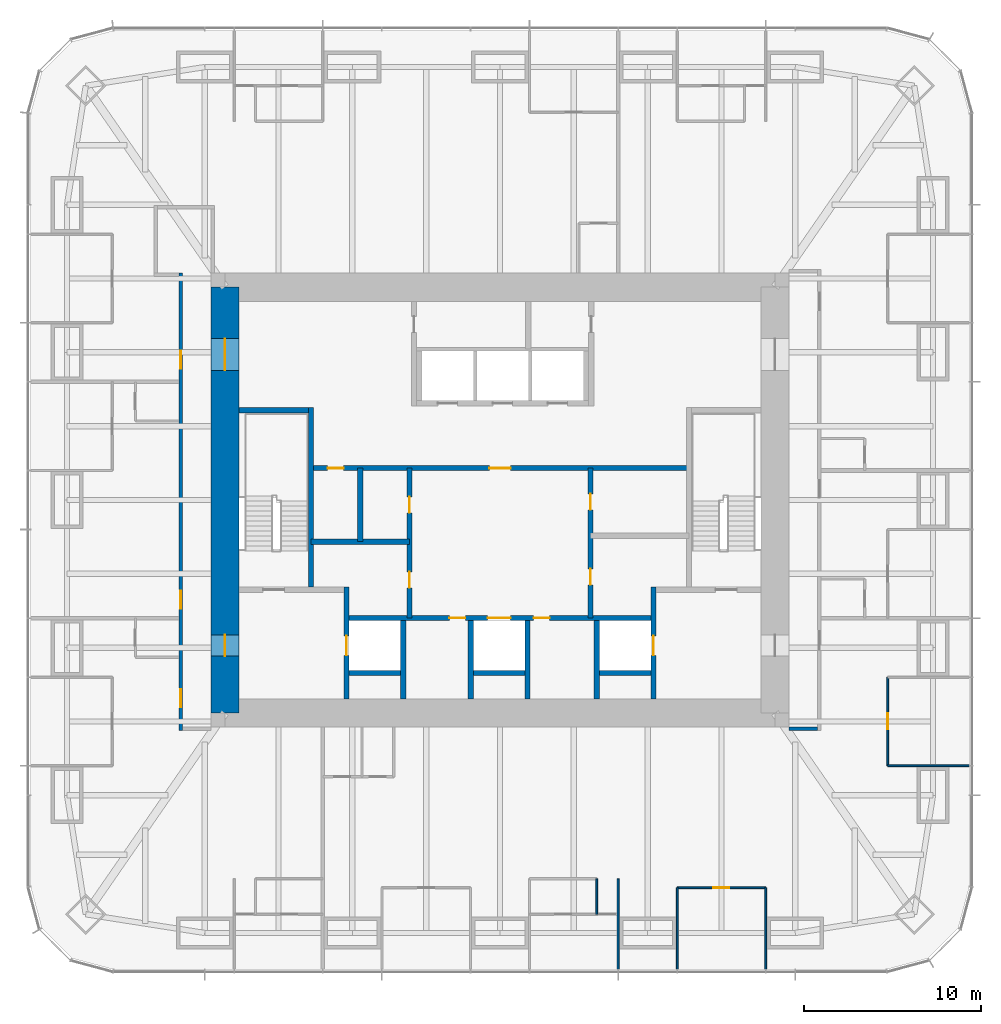
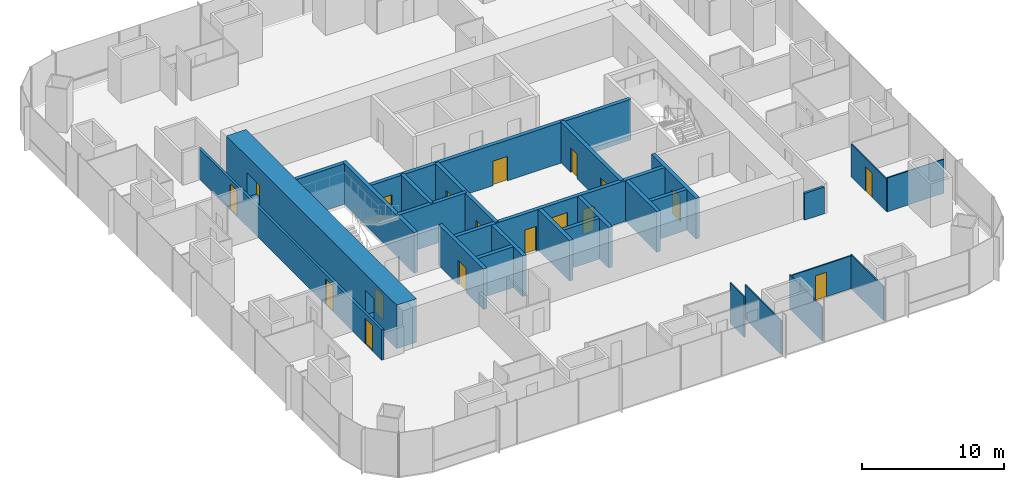
# One storey, part 9 of 12: 27 walls, 18 doors, 18 openings.
"""IFC4 building model written with IfcOpenShell, lengths in metres."""

from ifc_helpers import new_model, si_unit, direction, frame, frame_2d, origin, place, context, subcontext, project, spatial, rectangle, extrude, material, layer, layer_set, type_object, element, fill, save


model = new_model("IFC4")

# Units and contexts
model_context = context("Model", 3, precision=1e-05, world=origin(), true_north=direction((0.0, 1.0)))
body_context = subcontext(model_context, "Body", "Model", "MODEL_VIEW")
ifc_project = project(units=[si_unit("LENGTHUNIT", "METRE"), si_unit("AREAUNIT", "SQUARE_METRE"), si_unit("VOLUMEUNIT", "CUBIC_METRE"), si_unit("PLANEANGLEUNIT", "RADIAN"), si_unit("MASSUNIT", "GRAM", prefix="KILO")], contexts=[model_context])

# Site, building, storey
site_placement = place(None, origin())
site = spatial("IfcSite", under=ifc_project, at=site_placement, CompositionType="ELEMENT")
building_placement = place(site_placement, origin())
building = spatial("IfcBuilding", under=site, at=building_placement, Name="Khuree Lantern Residences", CompositionType="ELEMENT")
storey_placement = place(building_placement, frame((0.0, 0.0, 203.25)))
storey = spatial("IfcBuildingStorey", under=building, at=storey_placement, Name="L50", CompositionType="ELEMENT", Elevation=203.25)

# Wall, opening, door
ifc_material_1 = material(Name="Dense concrete blockwork", Category="masonry")
ifc_layer_1 = layer(ifc_material_1, 0.300048828125)
ifc_layer_set_1 = layer_set([ifc_layer_1], Name="CORE PARTITION WALL CPW300 EI 120")
wall_type_1 = type_object("IfcWallType", Name="CORE PARTITION WALL CPW300 EI 120", PredefinedType="PARTITIONING", material=ifc_layer_set_1)
wall_1_placement = place(storey_placement, frame((-8.64990234375, -11.199951171875, 0.0), z_axis=(0.0, 0.0, 1.0), x_axis=(0.0, 1.0, 0.0)))
wall_1 = element("IfcWall", 1, at=wall_1_placement, inside=storey, type_object=wall_type_1, Name="L50 CORE WALL FL1W", PredefinedType="PARTITIONING", context=body_context, shape_type="SweptSolid", body=[
    extrude(rectangle(XDim=6.300048828125, YDim=0.300048828125, at=frame_2d((3.14990234375, 0.0))), origin(), (0.0, 0.0, 1.0), 3.5),
])
opening_1_placement = place(wall_1_placement, frame((2.449951171875, 0.0, 0.0)))
opening_1 = element("IfcOpeningElement", 2, at=opening_1_placement, cuts=wall_1, Name="Opening 50-007", PredefinedType="OPENING", context=body_context, shape_type="SweptSolid", body=[
    extrude(rectangle(XDim=1.10009765625, YDim=2.10009765625, at=frame_2d((0.550048828125, 1.050048828125))), frame((0.0, 0.16015625, 0.0), z_axis=(0.0, -1.0, 0.0), x_axis=(1.0, 0.0, 0.0)), (0.0, 0.0, 1.0), 0.320068359375),
])
ifc_material_2 = material(Name="Stainless steel lift landing door", Category="steel")
door_type_1 = type_object("IfcDoorType", Name="LIFT LANDING DOOR 1100X2100 E 120", OperationType="DOUBLE_DOOR_SLIDING", PredefinedType="DOOR", material=ifc_material_2)
door_1_placement = place(opening_1_placement, origin())
door_1 = element("IfcDoor", 3, at=door_1_placement, inside=storey, type_object=door_type_1, Name="Landing door FL1 50-007", OperationType="DOUBLE_DOOR_SLIDING", OverallHeight=2.10009765625, OverallWidth=1.10009765625, PredefinedType="DOOR", context=body_context, shape_type="SweptSolid", body=[
    extrude(rectangle(XDim=1.10009765625, YDim=2.10009765625, at=frame_2d((0.550048828125, 1.050048828125))), frame((0.0, 0.02490234375, 0.0), z_axis=(0.0, -1.0, 0.0), x_axis=(1.0, 0.0, 0.0)), (0.0, 0.0, 1.0), 0.050048828125),
])
fill(opening_1, door_1)

wall_2_placement = place(storey_placement, frame((8.64990234375, -11.199951171875, 0.0), z_axis=(0.0, 0.0, 1.0), x_axis=(0.0, 1.0, 0.0)))
wall_2 = element("IfcWall", 4, at=wall_2_placement, inside=storey, type_object=wall_type_1, Name="L50 CORE WALL FL2E", PredefinedType="PARTITIONING", context=body_context, shape_type="SweptSolid", body=[
    extrude(rectangle(XDim=6.300048828125, YDim=0.300048828125, at=frame_2d((3.14990234375, 0.0))), origin(), (0.0, 0.0, 1.0), 3.5),
])
opening_2_placement = place(wall_2_placement, frame((2.449951171875, 0.0, 0.0)))
opening_2 = element("IfcOpeningElement", 5, at=opening_2_placement, cuts=wall_2, Name="Opening 50-008", PredefinedType="OPENING", context=body_context, shape_type="SweptSolid", body=[
    extrude(rectangle(XDim=1.10009765625, YDim=2.10009765625, at=frame_2d((0.550048828125, 1.050048828125))), frame((0.0, 0.16015625, 0.0), z_axis=(0.0, -1.0, 0.0), x_axis=(1.0, 0.0, 0.0)), (0.0, 0.0, 1.0), 0.320068359375),
])
door_2_placement = place(opening_2_placement, origin())
door_2 = element("IfcDoor", 6, at=door_2_placement, inside=storey, type_object=door_type_1, Name="Landing door FL2 50-008", OperationType="DOUBLE_DOOR_SLIDING", OverallHeight=2.10009765625, OverallWidth=1.10009765625, PredefinedType="DOOR", context=body_context, shape_type="SweptSolid", body=[
    extrude(rectangle(XDim=1.10009765625, YDim=2.10009765625, at=frame_2d((0.550048828125, 1.050048828125))), frame((0.0, 0.02490234375, 0.0), z_axis=(0.0, -1.0, 0.0), x_axis=(1.0, 0.0, 0.0)), (0.0, 0.0, 1.0), 0.050048828125),
])
fill(opening_2, door_2)

# Wall, openings, doors
wall_3_placement = place(storey_placement, frame((-8.5, -6.64990234375, 0.0), z_axis=(0.0, 0.0, 1.0), x_axis=(1.0, 0.0, 0.0)))
wall_3 = element("IfcWall", 7, at=wall_3_placement, inside=storey, type_object=wall_type_1, Name="L50 CORE WALL FLROW", PredefinedType="PARTITIONING", context=body_context, shape_type="SweptSolid", body=[
    extrude(rectangle(XDim=17.0, YDim=0.300048828125, at=frame_2d((8.5, 0.0))), origin(), (0.0, 0.0, 1.0), 3.5),
])
opening_3_placement = place(wall_3_placement, frame((7.800048828125, 0.0, 0.0)))
opening_3 = element("IfcOpeningElement", 8, at=opening_3_placement, cuts=wall_3, Name="Opening 50-012", PredefinedType="OPENING", context=body_context, shape_type="SweptSolid", body=[
    extrude(rectangle(XDim=1.300048828125, YDim=2.39990234375, at=frame_2d((0.64990234375, 1.199951171875))), frame((0.0, 0.16015625, 0.0), z_axis=(0.0, -1.0, 0.0), x_axis=(1.0, 0.0, 0.0)), (0.0, 0.0, 1.0), 0.320068359375),
])
opening_4_placement = place(wall_3_placement, frame((5.64990234375, 0.0, 0.0)))
opening_4 = element("IfcOpeningElement", 9, at=opening_4_placement, cuts=wall_3, Name="Opening 50-014", PredefinedType="OPENING", context=body_context, shape_type="SweptSolid", body=[
    extrude(rectangle(XDim=0.89990234375, YDim=2.10009765625, at=frame_2d((0.449951171875, 1.050048828125))), frame((0.0, 0.16015625, 0.0), z_axis=(0.0, -1.0, 0.0), x_axis=(1.0, 0.0, 0.0)), (0.0, 0.0, 1.0), 0.320068359375),
])
opening_5_placement = place(wall_3_placement, frame((10.39990234375, 0.0, 0.0)))
opening_5 = element("IfcOpeningElement", 10, at=opening_5_placement, cuts=wall_3, Name="Opening 50-015", PredefinedType="OPENING", context=body_context, shape_type="SweptSolid", body=[
    extrude(rectangle(XDim=0.89990234375, YDim=2.10009765625, at=frame_2d((0.449951171875, 1.050048828125))), frame((0.0, 0.16015625, 0.0), z_axis=(0.0, -1.0, 0.0), x_axis=(1.0, 0.0, 0.0)), (0.0, 0.0, 1.0), 0.320068359375),
])
ifc_material_3 = material(Name="Steel door leaf in steel frame", Category="steel")
door_type_2 = type_object("IfcDoorType", Name="DOOR 900X2100 EI 60", OperationType="SINGLE_SWING_LEFT", PredefinedType="DOOR", material=ifc_material_3)
door_3_placement = place(opening_4_placement, origin())
door_3 = element("IfcDoor", 11, at=door_3_placement, inside=storey, type_object=door_type_2, Name="Refuse chute room door 50-014", OperationType="SINGLE_SWING_LEFT", OverallHeight=2.10009765625, OverallWidth=0.89990234375, PredefinedType="DOOR", context=body_context, shape_type="SweptSolid", body=[
    extrude(rectangle(XDim=0.89990234375, YDim=2.10009765625, at=frame_2d((0.449951171875, 1.050048828125))), frame((0.0, 0.02490234375, 0.0), z_axis=(0.0, -1.0, 0.0), x_axis=(1.0, 0.0, 0.0)), (0.0, 0.0, 1.0), 0.050048828125),
])
fill(opening_4, door_3)
door_type_3 = type_object("IfcDoorType", Name="DOOR 900X2100 EI 60 RIGHT HAND", OperationType="SINGLE_SWING_RIGHT", PredefinedType="DOOR", material=ifc_material_3)
door_4_placement = place(opening_5_placement, origin())
door_4 = element("IfcDoor", 12, at=door_4_placement, inside=storey, type_object=door_type_3, Name="Electrical and plumbing riser door 50-015", OperationType="SINGLE_SWING_RIGHT", OverallHeight=2.10009765625, OverallWidth=0.89990234375, PredefinedType="DOOR", context=body_context, shape_type="SweptSolid", body=[
    extrude(rectangle(XDim=0.89990234375, YDim=2.10009765625, at=frame_2d((0.449951171875, 1.050048828125))), frame((0.0, 0.02490234375, 0.0), z_axis=(0.0, -1.0, 0.0), x_axis=(1.0, 0.0, 0.0)), (0.0, 0.0, 1.0), 0.050048828125),
])
fill(opening_5, door_4)
door_type_4 = type_object("IfcDoorType", Name="LIFT LANDING DOOR 1300X2400 E 60", OperationType="DOUBLE_DOOR_SLIDING", PredefinedType="DOOR", material=ifc_material_2)
door_5_placement = place(opening_3_placement, origin())
door_5 = element("IfcDoor", 13, at=door_5_placement, inside=storey, type_object=door_type_4, Name="Landing door SL1 50-012", OperationType="DOUBLE_DOOR_SLIDING", OverallHeight=2.39990234375, OverallWidth=1.300048828125, PredefinedType="DOOR", context=body_context, shape_type="SweptSolid", body=[
    extrude(rectangle(XDim=1.300048828125, YDim=2.39990234375, at=frame_2d((0.64990234375, 1.199951171875))), frame((0.0, 0.02490234375, 0.0), z_axis=(0.0, -1.0, 0.0), x_axis=(1.0, 0.0, 0.0)), (0.0, 0.0, 1.0), 0.050048828125),
])
fill(opening_3, door_5)

# Walls
for number, where, z_axis, x_axis, name in (
    (14, (-5.449951171875, -11.199951171875, 0.0), (0.0, 0.0, 1.0), (0.0, 1.0, 0.0), "L50 CORE WALL FL1E"),
    (15, (-1.64990234375, -11.199951171875, 0.0), (0.0, 0.0, 1.0), (0.0, 1.0, 0.0), "L50 CORE WALL SL1W"),
    (16, (1.550048828125, -11.199951171875, 0.0), (0.0, 0.0, 1.0), (0.0, 1.0, 0.0), "L50 CORE WALL SL1E"),
    (17, (5.449951171875, -11.199951171875, 0.0), (0.0, 0.0, 1.0), (0.0, 1.0, 0.0), "L50 CORE WALL FL2W"),
):
    element("IfcWall", number, at=place(storey_placement, frame(where, z_axis=z_axis, x_axis=x_axis)), inside=storey, type_object=wall_type_1, Name=name, PredefinedType="PARTITIONING", context=body_context, shape_type="SweptSolid", body=[
        extrude(rectangle(XDim=4.39990234375, YDim=0.300048828125, at=frame_2d((2.199951171875, 0.0))), origin(), (0.0, 0.0, 1.0), 3.5),
    ])
for number, where, z_axis, x_axis, name in (
    (18, (-8.5, -9.75, 0.0), (0.0, 0.0, 1.0), (1.0, 0.0, 0.0), "L50 CORE WALL FL1S"),
    (19, (-1.5, -9.75, 0.0), (0.0, 0.0, 1.0), (1.0, 0.0, 0.0), "L50 CORE WALL SL1S"),
    (20, (5.60009765625, -9.75, 0.0), (0.0, 0.0, 1.0), (1.0, 0.0, 0.0), "L50 CORE WALL FL2S"),
):
    element("IfcWall", number, at=place(storey_placement, frame(where, z_axis=z_axis, x_axis=x_axis)), inside=storey, type_object=wall_type_1, Name=name, PredefinedType="PARTITIONING", context=body_context, shape_type="SweptSolid", body=[
        extrude(rectangle(XDim=2.89990234375, YDim=0.300048828125, at=frame_2d((1.449951171875, 0.0))), origin(), (0.0, 0.0, 1.0), 3.5),
    ])

# Wall, openings, doors
wall_4_placement = place(storey_placement, frame((-10.64990234375, 1.800048828125, 0.0), z_axis=(0.0, 0.0, 1.0), x_axis=(1.0, 0.0, 0.0)))
wall_4 = element("IfcWall", 21, at=wall_4_placement, inside=storey, type_object=wall_type_1, Name="L50 CORE WALL LLS", PredefinedType="PARTITIONING", context=body_context, shape_type="SweptSolid", body=[
    extrude(rectangle(XDim=21.2998046875, YDim=0.300048828125, at=frame_2d((10.64990234375, 0.0))), origin(), (0.0, 0.0, 1.0), 3.5),
])
opening_6_placement = place(wall_4_placement, frame((10.050048828125, 0.0, 0.0)))
opening_6 = element("IfcOpeningElement", 22, at=opening_6_placement, cuts=wall_4, Name="Opening 50-013", PredefinedType="OPENING", context=body_context, shape_type="SweptSolid", body=[
    extrude(rectangle(XDim=1.199951171875, YDim=2.10009765625, at=frame_2d((0.60009765625, 1.050048828125))), frame((0.0, 0.16015625, 0.0), z_axis=(0.0, -1.0, 0.0), x_axis=(1.0, 0.0, 0.0)), (0.0, 0.0, 1.0), 0.320068359375),
])
opening_7_placement = place(wall_4_placement, frame((0.93798828125, 0.0, 0.0)))
opening_7 = element("IfcOpeningElement", 23, at=opening_7_placement, cuts=wall_4, Name="Opening 50-018", PredefinedType="OPENING", context=body_context, shape_type="SweptSolid", body=[
    extrude(rectangle(XDim=0.89990234375, YDim=2.10009765625, at=frame_2d((0.449951171875, 1.050048828125))), frame((0.0, 0.16015625, 0.0), z_axis=(0.0, -1.0, 0.0), x_axis=(1.0, 0.0, 0.0)), (0.0, 0.0, 1.0), 0.320068359375),
])
door_type_5 = type_object("IfcDoorType", Name="DOOR 1200X2100 EI 60", OperationType="SINGLE_SWING_LEFT", PredefinedType="DOOR", material=ifc_material_3)
door_6_placement = place(opening_6_placement, origin())
door_6 = element("IfcDoor", 24, at=door_6_placement, inside=storey, type_object=door_type_5, Name="Service lift lobby door 50-013", OperationType="SINGLE_SWING_LEFT", OverallHeight=2.10009765625, OverallWidth=1.199951171875, PredefinedType="DOOR", context=body_context, shape_type="SweptSolid", body=[
    extrude(rectangle(XDim=1.199951171875, YDim=2.10009765625, at=frame_2d((0.60009765625, 1.050048828125))), frame((0.0, 0.02490234375, 0.0), z_axis=(0.0, -1.0, 0.0), x_axis=(1.0, 0.0, 0.0)), (0.0, 0.0, 1.0), 0.050048828125),
])
fill(opening_6, door_6)
ifc_material_4 = material(Name="Timber door leaf in hardwood frame", Category="wood")
door_type_6 = type_object("IfcDoorType", Name="DOOR 900X2100", OperationType="SINGLE_SWING_LEFT", PredefinedType="DOOR", material=ifc_material_4)
door_7_placement = place(opening_7_placement, origin())
door_7 = element("IfcDoor", 25, at=door_7_placement, inside=storey, type_object=door_type_6, Name="Building management room door 50-018", OperationType="SINGLE_SWING_LEFT", OverallHeight=2.10009765625, OverallWidth=0.89990234375, PredefinedType="DOOR", context=body_context, shape_type="SweptSolid", body=[
    extrude(rectangle(XDim=0.89990234375, YDim=2.10009765625, at=frame_2d((0.449951171875, 1.050048828125))), frame((0.0, 0.02490234375, 0.0), z_axis=(0.0, -1.0, 0.0), x_axis=(1.0, 0.0, 0.0)), (0.0, 0.0, 1.0), 0.050048828125),
])
fill(opening_7, door_7)

wall_5_placement = place(storey_placement, frame((-5.10009765625, -6.64990234375, 0.0), z_axis=(0.0, 0.0, 1.0), x_axis=(0.0, 1.0, 0.0)))
wall_5 = element("IfcWall", 26, at=wall_5_placement, inside=storey, type_object=wall_type_1, Name="L50 CORE WALL SVW", PredefinedType="PARTITIONING", context=body_context, shape_type="SweptSolid", body=[
    extrude(rectangle(XDim=8.449951171875, YDim=0.300048828125, at=frame_2d((4.22509765625, 0.0))), origin(), (0.0, 0.0, 1.0), 3.5),
])
opening_8_placement = place(wall_5_placement, frame((1.699951171875, 0.0, 0.0)))
opening_8 = element("IfcOpeningElement", 27, at=opening_8_placement, cuts=wall_5, Name="Opening 50-016", PredefinedType="OPENING", context=body_context, shape_type="SweptSolid", body=[
    extrude(rectangle(XDim=0.89990234375, YDim=2.10009765625, at=frame_2d((0.449951171875, 1.050048828125))), frame((0.0, 0.16015625, 0.0), z_axis=(0.0, -1.0, 0.0), x_axis=(1.0, 0.0, 0.0)), (0.0, 0.0, 1.0), 0.320068359375),
])
opening_9_placement = place(wall_5_placement, frame((5.925048828125, 0.0, 0.0)))
opening_9 = element("IfcOpeningElement", 28, at=opening_9_placement, cuts=wall_5, Name="Opening 50-017", PredefinedType="OPENING", context=body_context, shape_type="SweptSolid", body=[
    extrude(rectangle(XDim=0.89990234375, YDim=2.10009765625, at=frame_2d((0.449951171875, 1.050048828125))), frame((0.0, 0.16015625, 0.0), z_axis=(0.0, -1.0, 0.0), x_axis=(1.0, 0.0, 0.0)), (0.0, 0.0, 1.0), 0.320068359375),
])
door_8_placement = place(opening_8_placement, origin())
door_8 = element("IfcDoor", 29, at=door_8_placement, inside=storey, type_object=door_type_6, Name="Parcel room door 50-016", OperationType="SINGLE_SWING_LEFT", OverallHeight=2.10009765625, OverallWidth=0.89990234375, PredefinedType="DOOR", context=body_context, shape_type="SweptSolid", body=[
    extrude(rectangle(XDim=0.89990234375, YDim=2.10009765625, at=frame_2d((0.449951171875, 1.050048828125))), frame((0.0, 0.02490234375, 0.0), z_axis=(0.0, -1.0, 0.0), x_axis=(1.0, 0.0, 0.0)), (0.0, 0.0, 1.0), 0.050048828125),
])
fill(opening_8, door_8)
door_9_placement = place(opening_9_placement, origin())
door_9 = element("IfcDoor", 30, at=door_9_placement, inside=storey, type_object=door_type_6, Name="Housekeeping store door 50-017", OperationType="SINGLE_SWING_LEFT", OverallHeight=2.10009765625, OverallWidth=0.89990234375, PredefinedType="DOOR", context=body_context, shape_type="SweptSolid", body=[
    extrude(rectangle(XDim=0.89990234375, YDim=2.10009765625, at=frame_2d((0.449951171875, 1.050048828125))), frame((0.0, 0.02490234375, 0.0), z_axis=(0.0, -1.0, 0.0), x_axis=(1.0, 0.0, 0.0)), (0.0, 0.0, 1.0), 0.050048828125),
])
fill(opening_9, door_9)

wall_6_placement = place(storey_placement, frame((5.10009765625, -6.64990234375, 0.0), z_axis=(0.0, 0.0, 1.0), x_axis=(0.0, 1.0, 0.0)))
wall_6 = element("IfcWall", 31, at=wall_6_placement, inside=storey, type_object=wall_type_1, Name="L50 CORE WALL SVE", PredefinedType="PARTITIONING", context=body_context, shape_type="SweptSolid", body=[
    extrude(rectangle(XDim=8.449951171875, YDim=0.300048828125, at=frame_2d((4.22509765625, 0.0))), origin(), (0.0, 0.0, 1.0), 3.5),
])
opening_10_placement = place(wall_6_placement, frame((1.865966796875, 0.0, 0.0)))
opening_10 = element("IfcOpeningElement", 32, at=opening_10_placement, cuts=wall_6, Name="Opening 50-019", PredefinedType="OPENING", context=body_context, shape_type="SweptSolid", body=[
    extrude(rectangle(XDim=0.89990234375, YDim=2.10009765625, at=frame_2d((0.449951171875, 1.050048828125))), frame((0.0, 0.16015625, 0.0), z_axis=(0.0, -1.0, 0.0), x_axis=(1.0, 0.0, 0.0)), (0.0, 0.0, 1.0), 0.320068359375),
])
opening_11_placement = place(wall_6_placement, frame((6.091064453125, 0.0, 0.0)))
opening_11 = element("IfcOpeningElement", 33, at=opening_11_placement, cuts=wall_6, Name="Opening 50-020", PredefinedType="OPENING", context=body_context, shape_type="SweptSolid", body=[
    extrude(rectangle(XDim=0.89990234375, YDim=2.10009765625, at=frame_2d((0.449951171875, 1.050048828125))), frame((0.0, 0.16015625, 0.0), z_axis=(0.0, -1.0, 0.0), x_axis=(1.0, 0.0, 0.0)), (0.0, 0.0, 1.0), 0.320068359375),
])
door_10_placement = place(opening_10_placement, origin())
door_10 = element("IfcDoor", 34, at=door_10_placement, inside=storey, type_object=door_type_6, Name="Bulky waste store door 50-019", OperationType="SINGLE_SWING_LEFT", OverallHeight=2.10009765625, OverallWidth=0.89990234375, PredefinedType="DOOR", context=body_context, shape_type="SweptSolid", body=[
    extrude(rectangle(XDim=0.89990234375, YDim=2.10009765625, at=frame_2d((0.449951171875, 1.050048828125))), frame((0.0, 0.02490234375, 0.0), z_axis=(0.0, -1.0, 0.0), x_axis=(1.0, 0.0, 0.0)), (0.0, 0.0, 1.0), 0.050048828125),
])
fill(opening_10, door_10)
door_type_7 = type_object("IfcDoorType", Name="DOOR 900X2100 RIGHT HAND", OperationType="SINGLE_SWING_RIGHT", PredefinedType="DOOR", material=ifc_material_4)
door_11_placement = place(opening_11_placement, origin())
door_11 = element("IfcDoor", 35, at=door_11_placement, inside=storey, type_object=door_type_7, Name="Parcel room door 50-020", OperationType="SINGLE_SWING_RIGHT", OverallHeight=2.10009765625, OverallWidth=0.89990234375, PredefinedType="DOOR", context=body_context, shape_type="SweptSolid", body=[
    extrude(rectangle(XDim=0.89990234375, YDim=2.10009765625, at=frame_2d((0.449951171875, 1.050048828125))), frame((0.0, 0.02490234375, 0.0), z_axis=(0.0, -1.0, 0.0), x_axis=(1.0, 0.0, 0.0)), (0.0, 0.0, 1.0), 0.050048828125),
])
fill(opening_11, door_11)

# Walls
wall_7_placement = place(storey_placement, frame((-10.64990234375, -2.35009765625, 0.0), z_axis=(0.0, 0.0, 1.0), x_axis=(1.0, 0.0, 0.0)))
element("IfcWall", 36, at=wall_7_placement, inside=storey, type_object=wall_type_1, Name="L50 CORE WALL WX", PredefinedType="PARTITIONING", context=body_context, shape_type="SweptSolid", body=[
    extrude(rectangle(XDim=5.5498046875, YDim=0.300048828125, at=frame_2d((2.77490234375, 0.0))), origin(), (0.0, 0.0, 1.0), 3.5),
])
wall_8_placement = place(storey_placement, frame((-7.875, -2.35009765625, 0.0), z_axis=(0.0, 0.0, 1.0), x_axis=(0.0, 1.0, 0.0)))
element("IfcWall", 37, at=wall_8_placement, inside=storey, type_object=wall_type_1, Name="L50 CORE WALL WV", PredefinedType="PARTITIONING", context=body_context, shape_type="SweptSolid", body=[
    extrude(rectangle(XDim=4.150146484375, YDim=0.300048828125, at=frame_2d((2.0751953125, 0.0))), origin(), (0.0, 0.0, 1.0), 3.5),
])
ifc_material_5 = material(Name="Gypsum board on steel studs", Category="steel")
ifc_layer_2 = layer(ifc_material_5, 0.199951171875)
ifc_layer_set_2 = layer_set([ifc_layer_2], Name="CORRIDOR WALL CRW200 EI 60")
wall_type_2 = type_object("IfcWallType", Name="CORRIDOR WALL CRW200 EI 60", PredefinedType="PARTITIONING", material=ifc_layer_set_2)
wall_9_placement = place(storey_placement, frame((16.300048828125, -12.89990234375, 0.0), z_axis=(0.0, 0.0, 1.0), x_axis=(1.0, 0.0, 0.0)))
element("IfcWall", 38, at=wall_9_placement, inside=storey, type_object=wall_type_2, Name="L50 EAST CORRIDOR SOUTH END WALL", PredefinedType="PARTITIONING", context=body_context, shape_type="SweptSolid", body=[
    extrude(rectangle(XDim=1.599853515625, YDim=0.199951171875, at=frame_2d((0.7998046875, 0.0))), origin(), (0.0, 0.0, 1.0), 2.300048828125),
])

# Wall, openings, doors
wall_10_placement = place(storey_placement, frame((-18.0, 12.800048828125, 0.0), z_axis=(0.0, 0.0, 1.0), x_axis=(0.0, -1.0, 0.0)))
wall_10 = element("IfcWall", 39, at=wall_10_placement, inside=storey, type_object=wall_type_2, Name="L50 CORRIDOR WALL WEST 1", PredefinedType="PARTITIONING", context=body_context, shape_type="SweptSolid", body=[
    extrude(rectangle(XDim=25.800048828125, YDim=0.199951171875, at=frame_2d((12.89990234375, 0.0))), origin(), (0.0, 0.0, 1.0), 2.60009765625),
])
opening_12_placement = place(wall_10_placement, frame((4.39990234375, 0.0, 0.0)))
opening_12 = element("IfcOpeningElement", 40, at=opening_12_placement, cuts=wall_10, Name="Opening 50-036", PredefinedType="OPENING", context=body_context, shape_type="SweptSolid", body=[
    extrude(rectangle(XDim=1.0, YDim=2.199951171875, at=frame_2d((0.5, 1.10009765625))), frame((0.0, 0.10986328125, 0.0), z_axis=(0.0, -1.0, 0.0), x_axis=(1.0, 0.0, 0.0)), (0.0, 0.0, 1.0), 0.219970703125),
])
opening_13_placement = place(wall_10_placement, frame((17.9140625, 0.0, 0.0)))
opening_13 = element("IfcOpeningElement", 41, at=opening_13_placement, cuts=wall_10, Name="Opening 50-039", PredefinedType="OPENING", context=body_context, shape_type="SweptSolid", body=[
    extrude(rectangle(XDim=1.0, YDim=2.199951171875, at=frame_2d((0.5, 1.10009765625))), frame((0.0, 0.10986328125, 0.0), z_axis=(0.0, -1.0, 0.0), x_axis=(1.0, 0.0, 0.0)), (0.0, 0.0, 1.0), 0.219970703125),
])
opening_14_placement = place(wall_10_placement, frame((23.47607421875, 0.0, 0.0)))
opening_14 = element("IfcOpeningElement", 42, at=opening_14_placement, cuts=wall_10, Name="Opening 50-044", PredefinedType="OPENING", context=body_context, shape_type="SweptSolid", body=[
    extrude(rectangle(XDim=1.0, YDim=2.199951171875, at=frame_2d((0.5, 1.10009765625))), frame((0.0, 0.10986328125, 0.0), z_axis=(0.0, -1.0, 0.0), x_axis=(1.0, 0.0, 0.0)), (0.0, 0.0, 1.0), 0.219970703125),
])
door_type_8 = type_object("IfcDoorType", Name="APARTMENT ENTRANCE DOOR 1000X2200 EI 30S", OperationType="SINGLE_SWING_LEFT", PredefinedType="DOOR", material=ifc_material_4)
door_12_placement = place(opening_12_placement, origin())
door_12 = element("IfcDoor", 43, at=door_12_placement, inside=storey, type_object=door_type_8, Name="Apartment 03 entrance door 50-036", OperationType="SINGLE_SWING_LEFT", OverallHeight=2.199951171875, OverallWidth=1.0, PredefinedType="DOOR", context=body_context, shape_type="SweptSolid", body=[
    extrude(rectangle(XDim=1.0, YDim=2.199951171875, at=frame_2d((0.5, 1.10009765625))), frame((0.0, 0.02490234375, 0.0), z_axis=(0.0, -1.0, 0.0), x_axis=(1.0, 0.0, 0.0)), (0.0, 0.0, 1.0), 0.050048828125),
])
fill(opening_12, door_12)
door_13_placement = place(opening_13_placement, origin())
door_13 = element("IfcDoor", 44, at=door_13_placement, inside=storey, type_object=door_type_8, Name="Apartment 04 entrance door 50-039", OperationType="SINGLE_SWING_LEFT", OverallHeight=2.199951171875, OverallWidth=1.0, PredefinedType="DOOR", context=body_context, shape_type="SweptSolid", body=[
    extrude(rectangle(XDim=1.0, YDim=2.199951171875, at=frame_2d((0.5, 1.10009765625))), frame((0.0, 0.02490234375, 0.0), z_axis=(0.0, -1.0, 0.0), x_axis=(1.0, 0.0, 0.0)), (0.0, 0.0, 1.0), 0.050048828125),
])
fill(opening_13, door_13)
door_type_9 = type_object("IfcDoorType", Name="APARTMENT ENTRANCE DOOR 1000X2200 EI 30S RIGHT HAND", OperationType="SINGLE_SWING_RIGHT", PredefinedType="DOOR", material=ifc_material_4)
door_14_placement = place(opening_14_placement, origin())
door_14 = element("IfcDoor", 45, at=door_14_placement, inside=storey, type_object=door_type_9, Name="Apartment 05 entrance door 50-044", OperationType="SINGLE_SWING_RIGHT", OverallHeight=2.199951171875, OverallWidth=1.0, PredefinedType="DOOR", context=body_context, shape_type="SweptSolid", body=[
    extrude(rectangle(XDim=1.0, YDim=2.199951171875, at=frame_2d((0.5, 1.10009765625))), frame((0.0, 0.02490234375, 0.0), z_axis=(0.0, -1.0, 0.0), x_axis=(1.0, 0.0, 0.0)), (0.0, 0.0, 1.0), 0.050048828125),
])
fill(opening_14, door_14)

ifc_material_6 = material(Name="Concrete C50/60", Category="concrete")
ifc_layer_3 = layer(ifc_material_6, 1.60009765625)
ifc_layer_set_3 = layer_set([ifc_layer_3], Name="CW1600-C50 CORE WALL C50 1600")
wall_type_3 = type_object("IfcWallType", Name="CW1600-C50 CORE WALL C50 1600", PredefinedType="SHEAR", material=ifc_layer_set_3)
wall_11_placement = place(storey_placement, frame((-15.5, -12.0, -0.25), z_axis=(0.0, 0.0, 1.0), x_axis=(0.0, 1.0, 0.0)))
wall_11 = element("IfcWall", 46, at=wall_11_placement, inside=storey, type_object=wall_type_3, Name="Core wall W", PredefinedType="SHEAR", context=body_context, shape_type="SweptSolid", body=[
    extrude(rectangle(XDim=24.0, YDim=1.60009765625, at=frame_2d((12.0, 0.0))), origin(), (0.0, 0.0, 1.0), 3.75),
])
opening_15_placement = place(wall_11_placement, frame((3.199951171875, 0.0, 0.25)))
opening_15 = element("IfcOpeningElement", 47, at=opening_15_placement, cuts=wall_11, Name="Opening 50-002", PredefinedType="OPENING", context=body_context, shape_type="SweptSolid", body=[
    extrude(rectangle(XDim=1.199951171875, YDim=2.10009765625, at=frame_2d((0.60009765625, 1.050048828125))), frame((0.0, 0.81005859375, 0.0), z_axis=(0.0, -1.0, 0.0), x_axis=(1.0, 0.0, 0.0)), (0.0, 0.0, 1.0), 1.6201171875),
])
opening_16_placement = place(wall_11_placement, frame((19.300048828125, 0.0, 0.25)))
opening_16 = element("IfcOpeningElement", 48, at=opening_16_placement, cuts=wall_11, Name="Opening 50-003", PredefinedType="OPENING", context=body_context, shape_type="SweptSolid", body=[
    extrude(rectangle(XDim=1.800048828125, YDim=2.10009765625, at=frame_2d((0.89990234375, 1.050048828125))), frame((0.0, 0.81005859375, 0.0), z_axis=(0.0, -1.0, 0.0), x_axis=(1.0, 0.0, 0.0)), (0.0, 0.0, 1.0), 1.6201171875),
])
door_type_10 = type_object("IfcDoorType", Name="LOBBY DOOR 1200X2100 EI 120", OperationType="SINGLE_SWING_LEFT", PredefinedType="DOOR", material=ifc_material_3)
door_15_placement = place(opening_15_placement, origin())
door_15 = element("IfcDoor", 49, at=door_15_placement, inside=storey, type_object=door_type_10, Name="Firefighting lobby door 50-002", OperationType="SINGLE_SWING_LEFT", OverallHeight=2.10009765625, OverallWidth=1.199951171875, PredefinedType="DOOR", context=body_context, shape_type="SweptSolid", body=[
    extrude(rectangle(XDim=1.199951171875, YDim=2.10009765625, at=frame_2d((0.60009765625, 1.050048828125))), frame((0.0, 0.02490234375, 0.0), z_axis=(0.0, -1.0, 0.0), x_axis=(1.0, 0.0, 0.0)), (0.0, 0.0, 1.0), 0.050048828125),
])
fill(opening_15, door_15)
door_type_11 = type_object("IfcDoorType", Name="LOBBY DOUBLE DOOR 1800X2100 EI 60", OperationType="DOUBLE_DOOR_SINGLE_SWING", PredefinedType="DOOR", material=ifc_material_3)
door_16_placement = place(opening_16_placement, origin())
door_16 = element("IfcDoor", 50, at=door_16_placement, inside=storey, type_object=door_type_11, Name="Lift lobby door 50-003", OperationType="DOUBLE_DOOR_SINGLE_SWING", OverallHeight=2.10009765625, OverallWidth=1.800048828125, PredefinedType="DOOR", context=body_context, shape_type="SweptSolid", body=[
    extrude(rectangle(XDim=1.800048828125, YDim=2.10009765625, at=frame_2d((0.89990234375, 1.050048828125))), frame((0.0, 0.02490234375, 0.0), z_axis=(0.0, -1.0, 0.0), x_axis=(1.0, 0.0, 0.0)), (0.0, 0.0, 1.0), 0.050048828125),
])
fill(opening_16, door_16)

# Walls
ifc_layer_4 = layer(ifc_material_5, 0.10009765625)
ifc_layer_set_4 = layer_set([ifc_layer_4], Name="PARTITION PT100")
wall_type_4 = type_object("IfcWallType", Name="PARTITION PT100", PredefinedType="PARTITIONING", material=ifc_layer_set_4)
wall_12_placement = place(storey_placement, frame((6.656005859375, -21.344970703125, 0.0), z_axis=(0.0, 0.0, 1.0), x_axis=(0.0, -1.0, 0.0)))
element("IfcWall", 51, at=wall_12_placement, inside=storey, type_object=wall_type_4, Name="L50 PARTITION 06", PredefinedType="PARTITIONING", context=body_context, shape_type="SweptSolid", body=[
    extrude(rectangle(XDim=5.10498046875, YDim=0.10009765625, at=frame_2d((2.552490234375, 0.0))), origin(), (0.0, 0.0, 1.0), 2.909912109375),
])
for number, where, z_axis, x_axis, name in (
    (52, (9.98388671875, -21.85009765625, 0.0), (0.0, 0.0, 1.0), (0.0, -1.0, 0.0), "L50 PARTITION 06"),
    (53, (14.97607421875, -21.85009765625, 0.0), (0.0, 0.0, 1.0), (0.0, -1.0, 0.0), "L50 PARTITION 06"),
    (54, (21.85009765625, -14.97607421875, 0.0), (0.0, 0.0, 1.0), (1.0, 0.0, 0.0), "L50 PARTITION 06"),
):
    element("IfcWall", number, at=place(storey_placement, frame(where, z_axis=z_axis, x_axis=x_axis)), inside=storey, type_object=wall_type_4, Name=name, PredefinedType="PARTITIONING", context=body_context, shape_type="SweptSolid", body=[
        extrude(rectangle(XDim=4.599853515625, YDim=0.10009765625, at=frame_2d((2.2998046875, 0.0))), origin(), (0.0, 0.0, 1.0), 2.909912109375),
    ])
wall_13_placement = place(storey_placement, frame((5.4560546875, -21.344970703125, 0.0), z_axis=(0.0, 0.0, 1.0), x_axis=(0.0, -1.0, 0.0)))
element("IfcWall", 55, at=wall_13_placement, inside=storey, type_object=wall_type_4, Name="L50 PARTITION 06", PredefinedType="PARTITIONING", context=body_context, shape_type="SweptSolid", body=[
    extrude(rectangle(XDim=2.0, YDim=0.10009765625, at=frame_2d((1.0, 0.0))), origin(), (0.0, 0.0, 1.0), 3.5),
])

# Wall, opening, door
wall_14_placement = place(storey_placement, frame((9.98388671875, -21.85009765625, 0.0), z_axis=(0.0, 0.0, 1.0), x_axis=(1.0, 0.0, 0.0)))
wall_14 = element("IfcWall", 56, at=wall_14_placement, inside=storey, type_object=wall_type_4, Name="L50 PARTITION 06", PredefinedType="PARTITIONING", context=body_context, shape_type="SweptSolid", body=[
    extrude(rectangle(XDim=4.9921875, YDim=0.10009765625, at=frame_2d((2.49609375, 0.0))), origin(), (0.0, 0.0, 1.0), 2.81005859375),
])
opening_17_placement = place(wall_14_placement, frame((2.0458984375, 0.0, 0.0)))
opening_17 = element("IfcOpeningElement", 57, at=opening_17_placement, cuts=wall_14, Name="Opening 50-048", PredefinedType="OPENING", context=body_context, shape_type="SweptSolid", body=[
    extrude(rectangle(XDim=0.89990234375, YDim=2.10009765625, at=frame_2d((0.449951171875, 1.050048828125))), frame((0.0, 0.06005859375, 0.0), z_axis=(0.0, -1.0, 0.0), x_axis=(1.0, 0.0, 0.0)), (0.0, 0.0, 1.0), 0.1201171875),
])
door_type_12 = type_object("IfcDoorType", Name="BEDROOM DOOR 900X2100", OperationType="SINGLE_SWING_LEFT", PredefinedType="DOOR", material=ifc_material_4)
door_17_placement = place(opening_17_placement, origin())
door_17 = element("IfcDoor", 58, at=door_17_placement, inside=storey, type_object=door_type_12, Name="Bedroom door 50-048", OperationType="SINGLE_SWING_LEFT", OverallHeight=2.10009765625, OverallWidth=0.89990234375, PredefinedType="DOOR", context=body_context, shape_type="SweptSolid", body=[
    extrude(rectangle(XDim=0.89990234375, YDim=2.10009765625, at=frame_2d((0.449951171875, 1.050048828125))), frame((0.0, 0.02490234375, 0.0), z_axis=(0.0, -1.0, 0.0), x_axis=(1.0, 0.0, 0.0)), (0.0, 0.0, 1.0), 0.050048828125),
])
fill(opening_17, door_17)

wall_15_placement = place(storey_placement, frame((21.85009765625, -14.97607421875, 0.0), z_axis=(0.0, 0.0, 1.0), x_axis=(0.0, 1.0, 0.0)))
wall_15 = element("IfcWall", 59, at=wall_15_placement, inside=storey, type_object=wall_type_4, Name="L50 PARTITION 06", PredefinedType="PARTITIONING", context=body_context, shape_type="SweptSolid", body=[
    extrude(rectangle(XDim=4.9921875, YDim=0.10009765625, at=frame_2d((2.49609375, 0.0))), origin(), (0.0, 0.0, 1.0), 2.81005859375),
])
opening_18_placement = place(wall_15_placement, frame((2.0458984375, 0.0, 0.0)))
opening_18 = element("IfcOpeningElement", 60, at=opening_18_placement, cuts=wall_15, Name="Opening 50-049", PredefinedType="OPENING", context=body_context, shape_type="SweptSolid", body=[
    extrude(rectangle(XDim=0.89990234375, YDim=2.10009765625, at=frame_2d((0.449951171875, 1.050048828125))), frame((0.0, 0.06005859375, 0.0), z_axis=(0.0, -1.0, 0.0), x_axis=(1.0, 0.0, 0.0)), (0.0, 0.0, 1.0), 0.1201171875),
])
door_18_placement = place(opening_18_placement, origin())
door_18 = element("IfcDoor", 61, at=door_18_placement, inside=storey, type_object=door_type_12, Name="Bedroom door 50-049", OperationType="SINGLE_SWING_LEFT", OverallHeight=2.10009765625, OverallWidth=0.89990234375, PredefinedType="DOOR", context=body_context, shape_type="SweptSolid", body=[
    extrude(rectangle(XDim=0.89990234375, YDim=2.10009765625, at=frame_2d((0.449951171875, 1.050048828125))), frame((0.0, 0.02490234375, 0.0), z_axis=(0.0, -1.0, 0.0), x_axis=(1.0, 0.0, 0.0)), (0.0, 0.0, 1.0), 0.050048828125),
])
fill(opening_18, door_18)

# Walls
ifc_layer_5 = layer(ifc_material_6, 0.300048828125)
ifc_layer_set_5 = layer_set([ifc_layer_5], Name="STAIR WALL SRW300 C50/60 REI 240")
wall_type_5 = type_object("IfcWallType", Name="STAIR WALL SRW300 C50/60 REI 240", PredefinedType="SOLIDWALL", material=ifc_layer_set_5)
wall_16_placement = place(storey_placement, frame((-10.64990234375, -4.89990234375, 0.0), z_axis=(0.0, 0.0, 1.0), x_axis=(0.0, 1.0, 0.0)))
element("IfcWall", 62, at=wall_16_placement, inside=storey, type_object=wall_type_5, Name="L50 STAIR WALL ST1E", PredefinedType="SOLIDWALL", context=body_context, shape_type="SweptSolid", body=[
    extrude(rectangle(XDim=10.099853515625, YDim=0.300048828125, at=frame_2d((5.0498046875, 0.0))), origin(), (0.0, 0.0, 1.0), 3.5),
])
wall_17_placement = place(storey_placement, frame((-14.699951171875, 5.050048828125, 0.0), z_axis=(0.0, 0.0, 1.0), x_axis=(1.0, 0.0, 0.0)))
element("IfcWall", 63, at=wall_17_placement, inside=storey, type_object=wall_type_5, Name="L50 STAIR WALL ST1N", PredefinedType="SOLIDWALL", context=body_context, shape_type="SweptSolid", body=[
    extrude(rectangle(XDim=3.89990234375, YDim=0.300048828125, at=frame_2d((1.949951171875, 0.0))), origin(), (0.0, 0.0, 1.0), 3.5),
])

save(model, "model.ifc")
